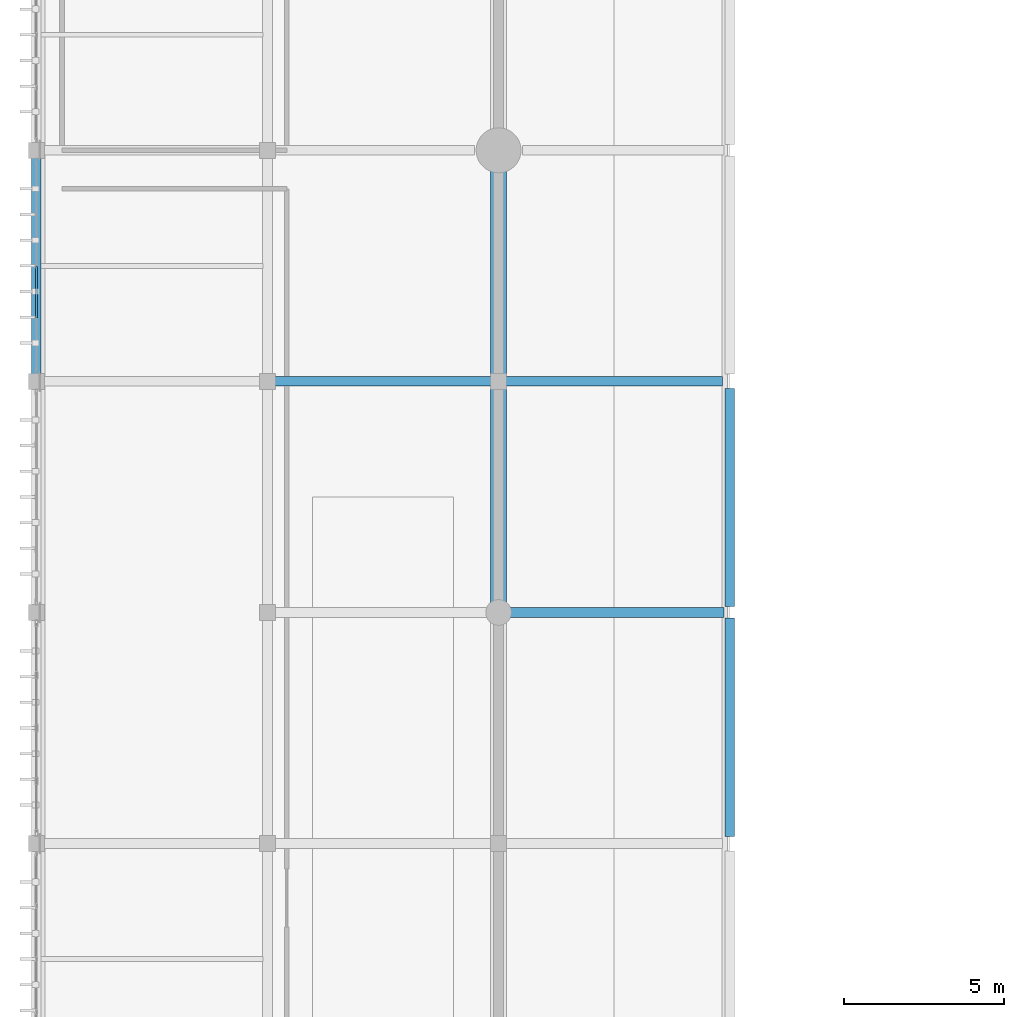
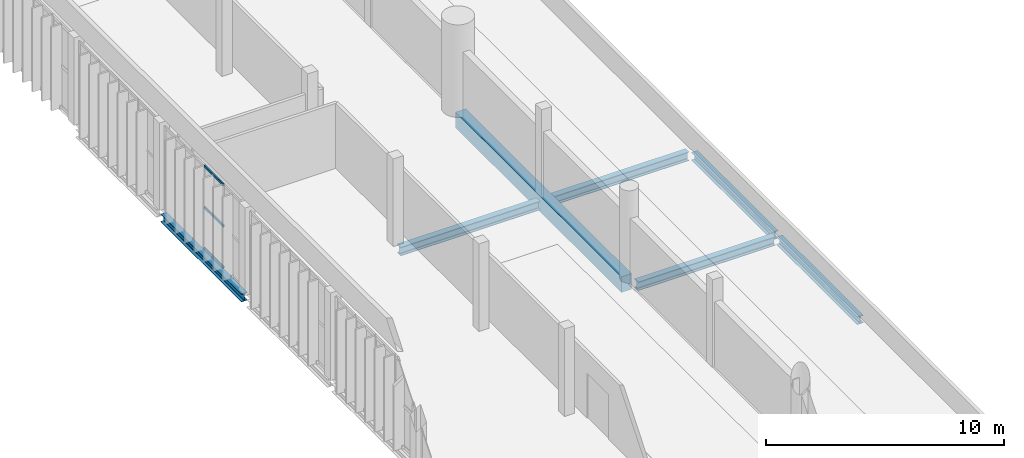
# One storey, part 24 of 64: 7 beams, 3 members, 1 element without a shape of its own.
"""IFC4 building model written with IfcOpenShell, lengths in metres."""

from ifc_helpers import new_model, si_unit, direction, frame, origin, origin_2d, place, context, subcontext, project, spatial, rectangle, hollow_rectangle, i_section, extrude, material, material_profile, profile_set, type_object, element, aggregate, save


model = new_model("IFC4")

# Units and contexts
model_context = context("Model", 3, precision=1e-05, world=origin(), true_north=direction((0.0, 1.0)))
body_context = subcontext(model_context, "Body", "Model", "MODEL_VIEW")
ifc_project = project(units=[si_unit("LENGTHUNIT", "METRE"), si_unit("AREAUNIT", "SQUARE_METRE"), si_unit("VOLUMEUNIT", "CUBIC_METRE"), si_unit("PLANEANGLEUNIT", "RADIAN"), si_unit("MASSUNIT", "GRAM", prefix="KILO")], contexts=[model_context])

# Site, building, storey
site_placement = place(None, origin())
site = spatial("IfcSite", under=ifc_project, at=site_placement, CompositionType="ELEMENT")
building_placement = place(site_placement, origin())
building = spatial("IfcBuilding", under=site, at=building_placement, Name="Qandorah Velis Arena", CompositionType="ELEMENT")
storey_placement = place(building_placement, frame((0.0, 0.0, 23.0)))
storey = spatial("IfcBuildingStorey", under=building, at=storey_placement, Name="L05", CompositionType="ELEMENT", Elevation=23.0)

# Curtain wall, members
ifc_material_1 = material(Name="Solar-control low-E double glazing", Category="glass")
curtain_wall_type = type_object("IfcCurtainWallType", Name="ARC-CW-SYS03", PredefinedType="USERDEFINED", material=ifc_material_1)
curtain_wall_placement = place(storey_placement, origin())
curtain_wall = element("IfcCurtainWall", 1, at=curtain_wall_placement, inside=storey, type_object=curtain_wall_type, Name="Unitised curtain wall L05-051", ObjectType="UNITISED CURTAIN WALL", PredefinedType="USERDEFINED")
ifc_material_2 = material(Name="Champagne-bronze anodized aluminium 6063-T6", Category="aluminium")
ifc_material_profile_1 = material_profile(ifc_material_2, hollow_rectangle(XDim=0.06005859375, YDim=0.1201171875, WallThickness=0.0029296875, at=origin_2d()), Name="ALU TRANSOM 60x120")
ifc_profile_set_1 = profile_set([ifc_material_profile_1], Name="Champagne-bronze anodized aluminium 6063-T6")
member_type = type_object("IfcMemberType", Name="ARC-CWT-120", PredefinedType="USERDEFINED", material=ifc_profile_set_1)
member_1_placement = place(storey_placement, frame((0.0, 95.568115234375, 0.030029296875), z_axis=(0.0, 1.0, 0.0), x_axis=(-1.0, 0.0, 0.0)))
member_1 = element("IfcMember", 2, at=member_1_placement, type_object=member_type, Name="CW03 transom 2.1", ObjectType="TRANSOM", PredefinedType="USERDEFINED", context=body_context, shape_type="SweptSolid", body=[
    extrude(hollow_rectangle(XDim=0.06005859375, YDim=0.1201171875, WallThickness=0.0029296875, at=origin_2d()), origin(), (0.0, 0.0, 1.0), 1.61376953125),
])
member_2_placement = place(storey_placement, frame((0.0, 95.568115234375, 2.139892578125), z_axis=(0.0, 1.0, 0.0), x_axis=(-1.0, 0.0, 0.0)))
member_2 = element("IfcMember", 3, at=member_2_placement, type_object=member_type, Name="CW03 transom 2.2", ObjectType="TRANSOM", PredefinedType="USERDEFINED", context=body_context, shape_type="SweptSolid", body=[
    extrude(hollow_rectangle(XDim=0.06005859375, YDim=0.1201171875, WallThickness=0.0029296875, at=origin_2d()), origin(), (0.0, 0.0, 1.0), 1.61376953125),
])
member_3_placement = place(storey_placement, frame((0.0, 95.568115234375, 4.25), z_axis=(0.0, 1.0, 0.0), x_axis=(-1.0, 0.0, 0.0)))
member_3 = element("IfcMember", 4, at=member_3_placement, type_object=member_type, Name="CW03 transom 2.3", ObjectType="TRANSOM", PredefinedType="USERDEFINED", context=body_context, shape_type="SweptSolid", body=[
    extrude(hollow_rectangle(XDim=0.06005859375, YDim=0.1201171875, WallThickness=0.0029296875, at=origin_2d()), origin(), (0.0, 0.0, 1.0), 1.61376953125),
])
aggregate(curtain_wall, [member_1, member_2, member_3])

# Beams
ifc_material_3 = material(Name="Steel S355", Category="steel")
ifc_material_profile_2 = material_profile(ifc_material_3, i_section(OverallWidth=0.300048828125, OverallDepth=0.39990234375, WebThickness=0.013427734375, FlangeThickness=0.02392578125, FilletRadius=0.027099609375, at=origin_2d()), Name="HEB 400")
ifc_profile_set_2 = profile_set([ifc_material_profile_2], Name="Steel S355")
beam_type_1 = type_object("IfcBeamType", Name="STR-BM-HEB400", PredefinedType="BEAM", material=ifc_profile_set_2)
beam_1_placement = place(storey_placement, frame((0.0, 93.824951171875, -0.449951171875), z_axis=(0.0, 1.0, 0.0), x_axis=(-1.0, 0.0, 0.0)))
element("IfcBeam", 5, at=beam_1_placement, inside=storey, type_object=beam_type_1, Name="Primary floor girder L05 Y-124", PredefinedType="BEAM", context=body_context, shape_type="SweptSolid", body=[
    extrude(i_section(OverallWidth=0.300048828125, OverallDepth=0.39990234375, WebThickness=0.013427734375, FlangeThickness=0.02392578125, FilletRadius=0.027099609375, at=origin_2d()), origin(), (0.0, 0.0, 1.0), 6.796630859375),
])
for number, where, z_axis, x_axis, name in (
    (6, (21.60009765625, 79.425048828125, -0.449951171875), (0.0, 1.0, 0.0), (-1.0, 0.0, 0.0), "Primary floor girder L05 Y-147"),
    (7, (21.60009765625, 86.57861328125, -0.449951171875), (0.0, 1.0, 0.0), (-1.0, 0.0, 0.0), "Primary floor girder L05 Y-148"),
):
    element("IfcBeam", number, at=place(storey_placement, frame(where, z_axis=z_axis, x_axis=x_axis)), inside=storey, type_object=beam_type_1, Name=name, PredefinedType="BEAM", context=body_context, shape_type="SweptSolid", body=[
        extrude(i_section(OverallWidth=0.300048828125, OverallDepth=0.39990234375, WebThickness=0.013427734375, FlangeThickness=0.02392578125, FilletRadius=0.027099609375, at=origin_2d()), origin(), (0.0, 0.0, 1.0), 6.79638671875),
    ])
ifc_material_profile_3 = material_profile(ifc_material_3, i_section(OverallWidth=0.300048828125, OverallDepth=0.449951171875, WebThickness=0.013916015625, FlangeThickness=0.02587890625, FilletRadius=0.027099609375, at=origin_2d()), Name="HEB 450")
ifc_profile_set_3 = profile_set([ifc_material_profile_3], Name="Steel S355")
beam_type_2 = type_object("IfcBeamType", Name="STR-BM-HEB450", PredefinedType="BEAM", material=ifc_profile_set_3)
beam_2_placement = place(storey_placement, frame((14.75, 86.39990234375, -0.47509765625), z_axis=(1.0, 0.0, 0.0), x_axis=(0.0, 1.0, 0.0)))
element("IfcBeam", 8, at=beam_2_placement, inside=storey, type_object=beam_type_2, Name="Primary floor girder L05 X-066", PredefinedType="BEAM", context=body_context, shape_type="SweptSolid", body=[
    extrude(i_section(OverallWidth=0.300048828125, OverallDepth=0.449951171875, WebThickness=0.013916015625, FlangeThickness=0.02587890625, FilletRadius=0.027099609375, at=origin_2d()), origin(), (0.0, 0.0, 1.0), 6.67138671875),
])
beam_3_placement = place(storey_placement, frame((7.37841796875, 93.60009765625, -0.47509765625), z_axis=(1.0, 0.0, 0.0), x_axis=(0.0, 1.0, 0.0)))
element("IfcBeam", 9, at=beam_3_placement, inside=storey, type_object=beam_type_2, Name="Primary floor girder L05 X-068", PredefinedType="BEAM", context=body_context, shape_type="SweptSolid", body=[
    extrude(i_section(OverallWidth=0.300048828125, OverallDepth=0.449951171875, WebThickness=0.013916015625, FlangeThickness=0.02587890625, FilletRadius=0.027099609375, at=origin_2d()), origin(), (0.0, 0.0, 1.0), 6.843017578125),
])
beam_4_placement = place(storey_placement, frame((14.57861328125, 93.60009765625, -0.47509765625), z_axis=(1.0, 0.0, 0.0), x_axis=(0.0, 1.0, 0.0)))
element("IfcBeam", 10, at=beam_4_placement, inside=storey, type_object=beam_type_2, Name="Primary floor girder L05 X-069", PredefinedType="BEAM", context=body_context, shape_type="SweptSolid", body=[
    extrude(i_section(OverallWidth=0.300048828125, OverallDepth=0.449951171875, WebThickness=0.013916015625, FlangeThickness=0.02587890625, FilletRadius=0.027099609375, at=origin_2d()), origin(), (0.0, 0.0, 1.0), 6.79638671875),
])
ifc_material_4 = material(Name="Concrete C40/50", Category="concrete")
ifc_material_profile_4 = material_profile(ifc_material_4, rectangle(XDim=0.5, YDim=0.800048828125, at=origin_2d()), Name="RC BM 500x800")
ifc_profile_set_4 = profile_set([ifc_material_profile_4], Name="Concrete C40/50")
beam_type_3 = type_object("IfcBeamType", Name="STR-RCBM-500X800", PredefinedType="BEAM", material=ifc_profile_set_4)
beam_5_placement = place(storey_placement, frame((14.39990234375, 86.6201171875, -0.39990234375), z_axis=(0.0, 1.0, 0.0), x_axis=(-1.0, 0.0, 0.0)))
element("IfcBeam", 11, at=beam_5_placement, inside=storey, type_object=beam_type_3, Name="Drum west ring beam L05-6", PredefinedType="BEAM", context=body_context, shape_type="SweptSolid", body=[
    extrude(rectangle(XDim=0.5, YDim=0.800048828125, at=origin_2d()), origin(), (0.0, 0.0, 1.0), 13.9599609375),
])

save(model, "model.ifc")
